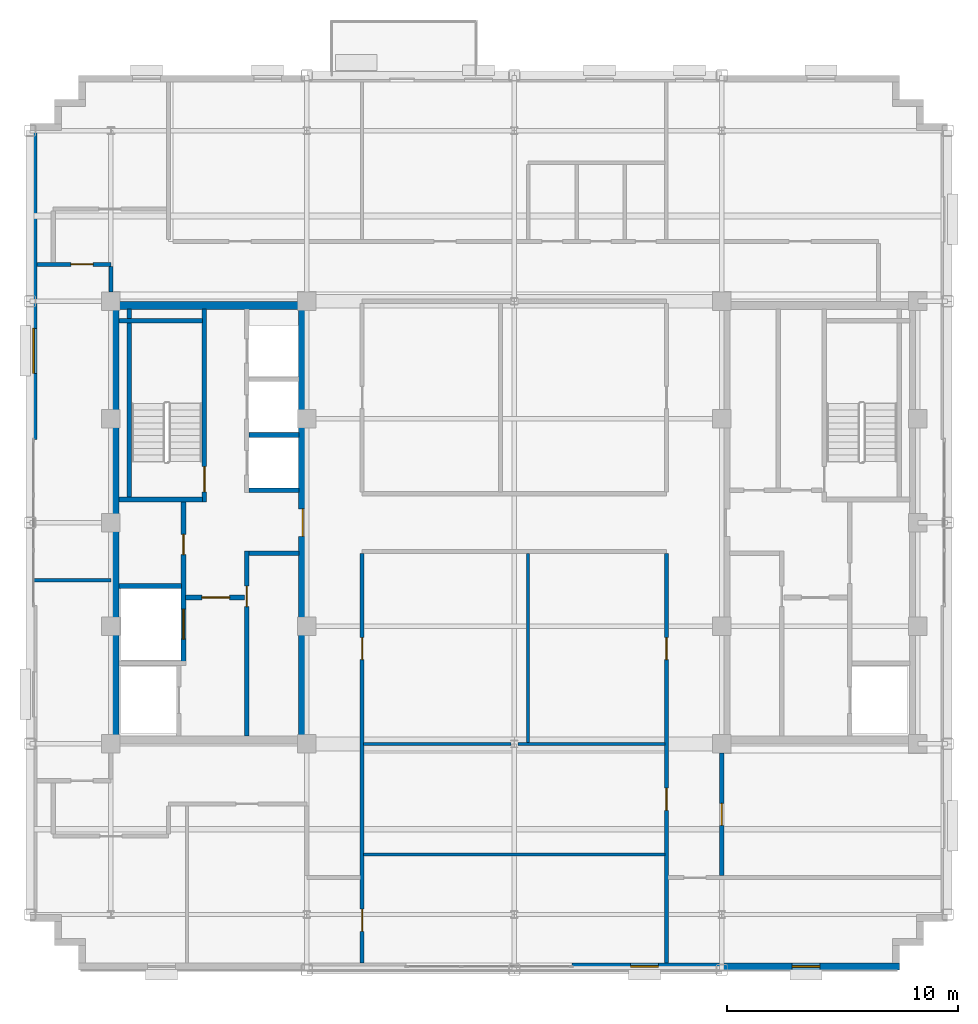
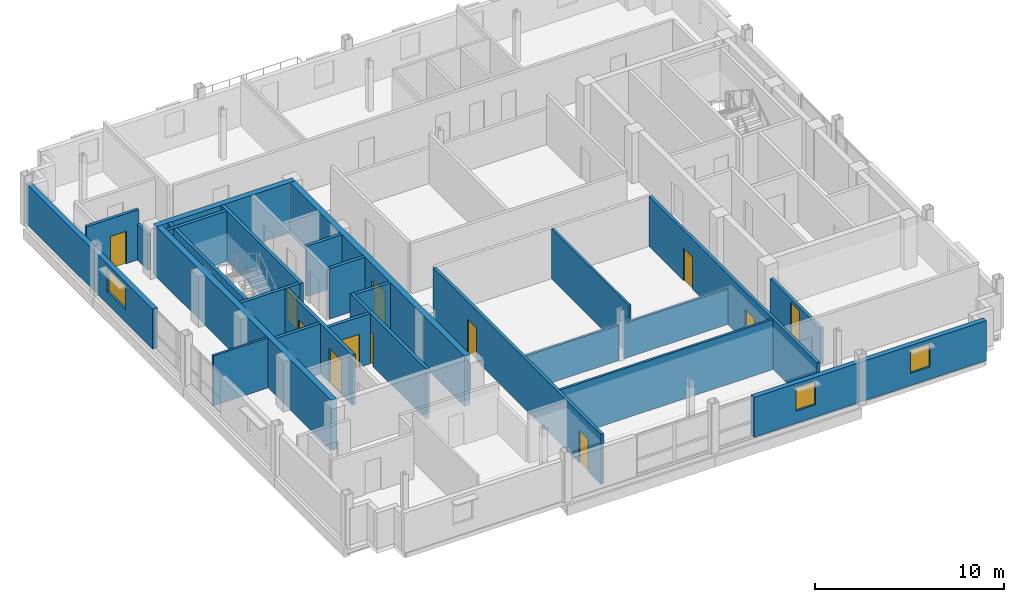
# One storey, part 6 of 16: 26 walls, 12 doors, 3 windows, 15 openings.
"""IFC4 building model written with IfcOpenShell, lengths in metres."""

import ifcopenshell
import ifcopenshell.guid

model = None  # the IFC model being written
_history = None  # IfcOwnerHistory: only IFC2X3 demands one
_inside = {}  # id of a spatial element -> (the spatial element, [elements in it])
_under = {}  # id of a project, library or spatial element -> (it, [spatial elements below it])
_declared = {}  # id of a project -> (the project, [libraries it declares])
_typed = {}  # id of a type object -> (the type object, [elements of that type])
_made_of = {}  # id of a material, layer set ... -> (it, [elements and type objects made of it])


def new_model(schema):
    """Start an empty IFC model of exactly this schema.

    Asked for "IFC4X3", IfcOpenShell would pick the latest addendum, in which some entities
    have other attributes; the version numbers below select the first issue.
    IFC2X3 requires an IfcOwnerHistory on every rooted entity: one is made here for all.
    """
    global model, _history
    if schema == "IFC4X3":
        model = ifcopenshell.file(schema_version=(4, 3, 0, 0))
    else:
        model = ifcopenshell.file(schema=schema)
    _inside.clear()
    _under.clear()
    _declared.clear()
    _typed.clear()
    _made_of.clear()
    _history = None
    if model.schema == "IFC2X3":
        org = make("IfcOrganization", Name="unknown")
        user = make(
            "IfcPersonAndOrganization",
            ThePerson=make("IfcPerson", FamilyName="unknown"),
            TheOrganization=org,
        )
        app = make(
            "IfcApplication",
            ApplicationDeveloper=org,
            Version="unknown",
            ApplicationFullName="unknown",
            ApplicationIdentifier="unknown",
        )
        _history = make(
            "IfcOwnerHistory",
            OwningUser=user,
            OwningApplication=app,
            ChangeAction="ADDED",
            CreationDate=0,
        )
    return model


def make(cls, **values):
    """One entity of the class cls with the attributes given. An attribute that is None is left unset."""
    return model.create_entity(
        cls, **{name: value for name, value in values.items() if value is not None}
    )


def rooted(cls, **values):
    """An entity with a GlobalId (a new one), such as an element, a storey or a relation."""
    return make(cls, GlobalId=ifcopenshell.guid.new(), OwnerHistory=_history, **values)


def si_unit(unit_type, name, prefix=None):
    """IfcSIUnit, for example si_unit("LENGTHUNIT", "METRE", prefix="MILLI")."""
    return make("IfcSIUnit", UnitType=unit_type, Prefix=prefix, Name=name)


def assignment(units):
    """IfcUnitAssignment: the units of a project."""
    return None if units is None else make("IfcUnitAssignment", Units=units)


def point(xyz):
    """IfcCartesianPoint."""
    return None if xyz is None else make("IfcCartesianPoint", Coordinates=xyz)


def direction(xyz):
    """IfcDirection."""
    return None if xyz is None else make("IfcDirection", DirectionRatios=xyz)


def frame(location, z_axis=None, x_axis=None):
    """IfcAxis2Placement3D, a coordinate frame: its origin and axes. An axis left out is left unset."""
    return make(
        "IfcAxis2Placement3D",
        Location=point(location),
        Axis=direction(z_axis),
        RefDirection=direction(x_axis),
    )


def frame_2d(location, x_axis=None):
    """IfcAxis2Placement2D, a coordinate frame in the plane: its origin and x axis."""
    return make(
        "IfcAxis2Placement2D", Location=point(location), RefDirection=direction(x_axis)
    )


def origin():
    """The frame at (0, 0, 0) with its axes left unset."""
    return frame((0.0, 0.0, 0.0))


def place(relative_to, where):
    """IfcLocalPlacement: puts the frame where relative to a parent placement (None: the world)."""
    return make(
        "IfcLocalPlacement", PlacementRelTo=relative_to, RelativePlacement=where
    )


def context(
    kind, dimensions, precision=None, world=None, true_north=None, identifier=None
):
    """IfcGeometricRepresentationContext, for example the 3D "Model" context."""
    return make(
        "IfcGeometricRepresentationContext",
        ContextIdentifier=identifier,
        ContextType=kind,
        CoordinateSpaceDimension=dimensions,
        Precision=precision,
        WorldCoordinateSystem=world,
        TrueNorth=true_north,
    )


def subcontext(parent, identifier, kind, view, scale=None):
    """IfcGeometricRepresentationSubContext, for example "Body" below "Model"."""
    return make(
        "IfcGeometricRepresentationSubContext",
        ContextIdentifier=identifier,
        ContextType=kind,
        ParentContext=parent,
        TargetScale=scale,
        TargetView=view,
    )


def project(units=None, contexts=None):
    """IfcProject with its units and contexts."""
    return rooted(
        "IfcProject",
        Name="project",
        RepresentationContexts=contexts,
        UnitsInContext=assignment(units),
    )


def spatial(cls, under=None, at=None, **own):
    """A site, building, storey or space (cls), placed at a placement, below another one or the project."""
    s = rooted(cls, ObjectPlacement=at, **own)
    if under is not None:
        _under.setdefault(under.id(), (under, []))[1].append(s)
    return s


def profile(cls, at=None, kind="AREA", **sizes):
    """A parametric profile (cls). Its sizes go by their IFC names, for example OverallWidth=200.0."""
    return make(cls, ProfileType=kind, Position=at, **sizes)


def rectangle(**sizes):
    """IfcRectangleProfileDef."""
    return profile("IfcRectangleProfileDef", **sizes)


def extrude(swept, where, along, depth):
    """IfcExtrudedAreaSolid: the profile swept, set in the frame where, extruded along a direction by depth."""
    return make(
        "IfcExtrudedAreaSolid",
        SweptArea=swept,
        Position=where,
        ExtrudedDirection=direction(along),
        Depth=depth,
    )


def shape(context_of_items, identifier, shape_type, items):
    """IfcShapeRepresentation: the items that make up one representation, for example the "Body"."""
    return make(
        "IfcShapeRepresentation",
        ContextOfItems=context_of_items,
        RepresentationIdentifier=identifier,
        RepresentationType=shape_type,
        Items=items,
    )


def source(mapping_origin, context_of_items, identifier, shape_type, items):
    """IfcRepresentationMap: a shape defined once, which mapped items show again and again."""
    return make(
        "IfcRepresentationMap",
        MappingOrigin=mapping_origin,
        MappedRepresentation=shape(context_of_items, identifier, shape_type, items),
    )


def transform(
    local_origin,
    x_axis=None,
    y_axis=None,
    z_axis=None,
    scale=None,
    scale2=None,
    scale3=None,
    uniform=True,
):
    """IfcCartesianTransformationOperator3D, or its non-uniform kind. x_axis, y_axis, z_axis: its Axis1, 2, 3."""
    if uniform:
        return make(
            "IfcCartesianTransformationOperator3D",
            Axis1=direction(x_axis),
            Axis2=direction(y_axis),
            LocalOrigin=point(local_origin),
            Scale=scale,
            Axis3=direction(z_axis),
        )
    return make(
        "IfcCartesianTransformationOperator3DnonUniform",
        Axis1=direction(x_axis),
        Axis2=direction(y_axis),
        LocalOrigin=point(local_origin),
        Scale=scale,
        Axis3=direction(z_axis),
        Scale2=scale2,
        Scale3=scale3,
    )


def mapped(mapping_source, mapping_target):
    """IfcMappedItem: shows the shape of a source again, moved by a transform."""
    return make(
        "IfcMappedItem", MappingSource=mapping_source, MappingTarget=mapping_target
    )


def material(Name=None, Category=None):
    """IfcMaterial."""
    return make("IfcMaterial", Name=Name, Category=Category)


def layer(
    of_material, thickness, ventilated=None, Name=None, Category=None, Priority=None
):
    """IfcMaterialLayer: one layer of a wall or slab, of a material (None: an air gap)."""
    return make(
        "IfcMaterialLayer",
        Material=of_material,
        LayerThickness=thickness,
        IsVentilated=ventilated,
        Name=Name,
        Category=Category,
        Priority=Priority,
    )


def layer_set(layers, Name=None):
    """IfcMaterialLayerSet."""
    return make("IfcMaterialLayerSet", MaterialLayers=layers, LayerSetName=Name)


def made_of(thing, what):
    """Note that an element or type object is made of a material, layer set ...; save() writes the relation."""
    if what is not None:
        _made_of.setdefault(what.id(), (what, []))[1].append(thing)
    return thing


def type_object(cls, material=None, **own):
    """A type object (cls), such as IfcWallType, which elements share."""
    return made_of(rooted(cls, **own), material)


def type_shapes(of_type, sources):
    """Give a type object the sources (RepresentationMaps) that its elements show as mapped items."""
    of_type.RepresentationMaps = sources


def element(
    cls,
    number,
    at=None,
    inside=None,
    cuts=None,
    type_object=None,
    material=None,
    context=None,
    identifier="Body",
    shape_type=None,
    held_by="IfcProductDefinitionShape",
    body=None,
    shapes=None,
    **own,
):
    """One element of the class cls, such as IfcWall. Its Tag is "e" and its number.

    at: its placement. inside: the storey or other place that contains it. cuts: it is an
    opening in that element (IfcRelVoidsElement). A single representation is given by context,
    identifier, shape_type and body (its items); several are given by shapes. held_by: the class
    of the entity that holds the representations. save() writes the other relations.
    """
    e = rooted(cls, Tag="e%d" % number, ObjectPlacement=at, **own)
    if body is not None:
        shapes = [shape(context, identifier, shape_type, body)]
    if shapes is not None:
        e.Representation = make(held_by, Representations=shapes)
    if inside is not None:
        _inside.setdefault(inside.id(), (inside, []))[1].append(e)
    if cuts is not None:
        rooted(
            "IfcRelVoidsElement", RelatingBuildingElement=cuts, RelatedOpeningElement=e
        )
    if type_object is not None:
        _typed.setdefault(type_object.id(), (type_object, []))[1].append(e)
    return made_of(e, material)


def fill(opening, filler):
    """IfcRelFillsElement: the door or window that sits in an opening."""
    return rooted(
        "IfcRelFillsElement",
        RelatingOpeningElement=opening,
        RelatedBuildingElement=filler,
    )


def aggregate(whole, parts):
    """IfcRelAggregates: a whole, such as a stair, and the parts it consists of."""
    return rooted("IfcRelAggregates", RelatingObject=whole, RelatedObjects=parts)


def save(model, path):
    """Write the relations noted so far, then the file.

    IfcRelAggregates (storeys below a building ...), IfcRelContainedInSpatialStructure (elements
    in a storey), IfcRelDefinesByType, IfcRelAssociatesMaterial and IfcRelDeclares: one each for
    every whole, place, type object, material and project.
    """
    for whole, parts in _under.values():
        aggregate(whole, parts)
    for where, things in _inside.values():
        rooted(
            "IfcRelContainedInSpatialStructure",
            RelatedElements=things,
            RelatingStructure=where,
        )
    for kind, things in _typed.values():
        rooted("IfcRelDefinesByType", RelatedObjects=things, RelatingType=kind)
    for what, things in _made_of.values():
        rooted("IfcRelAssociatesMaterial", RelatedObjects=things, RelatingMaterial=what)
    for by, libraries in _declared.values():
        rooted("IfcRelDeclares", RelatingContext=by, RelatedDefinitions=libraries)
    model.write(path)


model = new_model("IFC4")

# Units and contexts
model_context = context("Model", 3, precision=1e-05, world=origin(), true_north=direction((0.0, 1.0)))
body_context = subcontext(model_context, "Body", "Model", "MODEL_VIEW")
ifc_project = project(units=[si_unit("LENGTHUNIT", "METRE"), si_unit("AREAUNIT", "SQUARE_METRE"), si_unit("VOLUMEUNIT", "CUBIC_METRE"), si_unit("PLANEANGLEUNIT", "RADIAN"), si_unit("MASSUNIT", "GRAM", prefix="KILO")], contexts=[model_context])

# Site, building, storey
site_placement = place(None, origin())
site = spatial("IfcSite", under=ifc_project, at=site_placement, CompositionType="ELEMENT")
building_placement = place(site_placement, origin())
building = spatial("IfcBuilding", under=site, at=building_placement, Name="Nuvemarco Arch Tower", CompositionType="ELEMENT")
storey_placement = place(building_placement, frame((0.0, 0.0, 249.300048828125)))
storey = spatial("IfcBuildingStorey", under=building, at=storey_placement, Name="L66", CompositionType="ELEMENT", Elevation=249.300048828125)

# Wall, openings, windows
ifc_material_1 = material(Name="Precast concrete C45/55", Category="concrete")
ifc_layer_1 = layer(ifc_material_1, 0.300048828125, Name="EW-HIGH-300")
ifc_layer_set_1 = layer_set([ifc_layer_1], Name="Precast concrete C45/55")
wall_type_1 = type_object("IfcWallType", Name="EW-HIGH-300", PredefinedType="STANDARD", material=ifc_layer_set_1)
wall_1_placement = place(storey_placement, frame((2.5, -19.25, 0.0), z_axis=(0.0, 0.0, 1.0), x_axis=(1.0, 0.0, 0.0)))
wall_1 = element("IfcWall", 1, at=wall_1_placement, inside=storey, type_object=wall_type_1, Name="L66 exterior precast pier wall south right", PredefinedType="STANDARD", context=body_context, shape_type="SweptSolid", body=[
    extrude(rectangle(XDim=14.199951171875, YDim=0.300048828125, at=frame_2d((7.10009765625, 0.0))), origin(), (0.0, 0.0, 1.0), 2.5849609375),
])
opening_1_placement = place(wall_1_placement, frame((2.550048828125, 0.0, 0.800048828125)))
opening_1 = element("IfcOpeningElement", 2, at=opening_1_placement, cuts=wall_1, Name="Opening WN-8", PredefinedType="OPENING", context=body_context, shape_type="SweptSolid", body=[
    extrude(rectangle(XDim=1.199951171875, YDim=1.47998046875, at=frame_2d((0.60009765625, 0.739990234375))), frame((0.0, 0.159912109375, 0.0), z_axis=(0.0, -1.0, 0.0), x_axis=(1.0, 0.0, 0.0)), (0.0, 0.0, 1.0), 0.320068359375),
])
opening_2_placement = place(wall_1_placement, frame((9.550048828125, 0.0, 0.800048828125)))
opening_2 = element("IfcOpeningElement", 3, at=opening_2_placement, cuts=wall_1, Name="Opening WN-8", PredefinedType="OPENING", context=body_context, shape_type="SweptSolid", body=[
    extrude(rectangle(XDim=1.199951171875, YDim=1.47998046875, at=frame_2d((0.60009765625, 0.739990234375))), frame((0.0, 0.159912109375, 0.0), z_axis=(0.0, -1.0, 0.0), x_axis=(1.0, 0.0, 0.0)), (0.0, 0.0, 1.0), 0.320068359375),
])
ifc_material_2 = material(Name="Insulated solar-control glass", Category="glass")
window_type_1 = type_object("IfcWindowType", Name="WN-HIGH-1200x1480", PartitioningType="SINGLE_PANEL", PredefinedType="WINDOW", material=ifc_material_2)
shared_shape_1 = source(origin(), body_context, "Body", "SweptSolid", [
    extrude(rectangle(XDim=1.199951171875, YDim=1.47998046875, at=frame_2d((0.60009765625, 0.739990234375))), frame((0.0, 0.030029296875, 0.0), z_axis=(0.0, -1.0, 0.0), x_axis=(1.0, 0.0, 0.0)), (0.0, 0.0, 1.0), 0.06005859375),
])
type_shapes(window_type_1, [shared_shape_1])
window_1_placement = place(opening_1_placement, origin())
window_1 = element("IfcWindow", 4, at=window_1_placement, inside=storey, type_object=window_type_1, Name="L66 punched facade window 1", OverallHeight=1.47998046875, OverallWidth=1.199951171875, PartitioningType="SINGLE_PANEL", PredefinedType="WINDOW", context=body_context, shape_type="MappedRepresentation", body=[
    mapped(shared_shape_1, transform((0.0, 0.0, 0.0), scale=1.0)),
])
fill(opening_1, window_1)
window_2_placement = place(opening_2_placement, origin())
window_2 = element("IfcWindow", 5, at=window_2_placement, inside=storey, type_object=window_type_1, Name="L66 punched facade window 2", OverallHeight=1.47998046875, OverallWidth=1.199951171875, PartitioningType="SINGLE_PANEL", PredefinedType="WINDOW", context=body_context, shape_type="MappedRepresentation", body=[
    mapped(shared_shape_1, transform((0.0, 0.0, 0.0), scale=1.0)),
])
fill(opening_2, window_2)

# Wall, opening, window
wall_2_placement = place(storey_placement, frame((-20.85009765625, 3.60009765625, 0.0), z_axis=(0.0, 0.0, 1.0), x_axis=(0.0, 1.0, 0.0)))
wall_2 = element("IfcWall", 6, at=wall_2_placement, inside=storey, type_object=wall_type_1, Name="L66 exterior precast pier wall west right", PredefinedType="STANDARD", context=body_context, shape_type="SweptSolid", body=[
    extrude(rectangle(XDim=13.40380859375, YDim=0.300048828125, at=frame_2d((6.701904296875, 0.0))), origin(), (0.0, 0.0, 1.0), 2.5849609375),
])
opening_3_placement = place(wall_2_placement, frame((2.8759765625, 0.0, 0.800048828125)))
opening_3 = element("IfcOpeningElement", 7, at=opening_3_placement, cuts=wall_2, Name="Opening WN-7", PredefinedType="OPENING", context=body_context, shape_type="SweptSolid", body=[
    extrude(rectangle(XDim=1.949951171875, YDim=1.47998046875, at=frame_2d((0.97509765625, 0.739990234375))), frame((0.0, 0.159912109375, 0.0), z_axis=(0.0, -1.0, 0.0), x_axis=(1.0, 0.0, 0.0)), (0.0, 0.0, 1.0), 0.320068359375),
])
window_type_2 = type_object("IfcWindowType", Name="WN-HIGH-1950x1480", PartitioningType="DOUBLE_PANEL_VERTICAL", PredefinedType="WINDOW", material=ifc_material_2)
shared_shape_2 = source(origin(), body_context, "Body", "SweptSolid", [
    extrude(rectangle(XDim=1.949951171875, YDim=1.47998046875, at=frame_2d((0.97509765625, 0.739990234375))), frame((0.0, 0.030029296875, 0.0), z_axis=(0.0, -1.0, 0.0), x_axis=(1.0, 0.0, 0.0)), (0.0, 0.0, 1.0), 0.06005859375),
])
type_shapes(window_type_2, [shared_shape_2])
window_3_placement = place(opening_3_placement, origin())
window_3 = element("IfcWindow", 8, at=window_3_placement, inside=storey, type_object=window_type_2, Name="L66 punched facade window 1", OverallHeight=1.47998046875, OverallWidth=1.949951171875, PartitioningType="SINGLE_PANEL", PredefinedType="WINDOW", context=body_context, shape_type="MappedRepresentation", body=[
    mapped(shared_shape_2, transform((0.0, 0.0, 0.0), scale=1.0)),
])
fill(opening_3, window_3)

# Walls
ifc_material_3 = material(Name="Concrete C50/60", Category="concrete")
ifc_layer_2 = layer(ifc_material_3, 0.35009765625, Name="WL-CORE-350")
ifc_layer_set_2 = layer_set([ifc_layer_2], Name="Concrete C50/60")
wall_type_2 = type_object("IfcWallType", Name="WL-CORE-350", PredefinedType="SHEAR", material=ifc_layer_set_2)
wall_3_placement = place(storey_placement, frame((-17.5, 9.425048828125, 0.0), z_axis=(0.0, 0.0, 1.0), x_axis=(1.0, 0.0, 0.0)))
element("IfcWall", 9, at=wall_3_placement, inside=storey, type_object=wall_type_2, Name="L66 W-core shear wall N", PredefinedType="SHEAR", context=body_context, shape_type="SweptSolid", body=[
    extrude(rectangle(XDim=8.5, YDim=0.35009765625, at=frame_2d((4.25, 0.0))), origin(), (0.0, 0.0, 1.0), 3.25),
])
wall_4_placement = place(storey_placement, frame((-17.324951171875, -9.2548828125, 0.0), z_axis=(0.0, 0.0, 1.0), x_axis=(0.0, 1.0, 0.0)))
element("IfcWall", 10, at=wall_4_placement, inside=storey, type_object=wall_type_2, Name="L66 W-core shear wall W", PredefinedType="SHEAR", context=body_context, shape_type="SweptSolid", body=[
    extrude(rectangle(XDim=18.509765625, YDim=0.35009765625, at=frame_2d((9.2548828125, 0.0))), origin(), (0.0, 0.0, 1.0), 3.25),
])

# Wall, opening, door
wall_5_placement = place(storey_placement, frame((-9.175048828125, -9.2548828125, 0.0), z_axis=(0.0, 0.0, 1.0), x_axis=(0.0, 1.0, 0.0)))
wall_5 = element("IfcWall", 11, at=wall_5_placement, inside=storey, type_object=wall_type_2, Name="L66 W-core shear wall E", PredefinedType="SHEAR", context=body_context, shape_type="SweptSolid", body=[
    extrude(rectangle(XDim=18.509765625, YDim=0.35009765625, at=frame_2d((9.2548828125, 0.0))), origin(), (0.0, 0.0, 1.0), 3.25),
])
opening_4_placement = place(wall_5_placement, frame((8.655029296875, 0.0, 0.0)))
opening_4 = element("IfcOpeningElement", 12, at=opening_4_placement, cuts=wall_5, Name="Opening FD-2", PredefinedType="OPENING", context=body_context, shape_type="SweptSolid", body=[
    extrude(rectangle(XDim=1.199951171875, YDim=2.14990234375, at=frame_2d((0.60009765625, 1.074951171875))), frame((0.0, 0.18505859375, 0.0), z_axis=(0.0, -1.0, 0.0), x_axis=(1.0, 0.0, 0.0)), (0.0, 0.0, 1.0), 0.3701171875),
])
ifc_material_4 = material(Name="Anodised steel fire door", Category="steel")
door_type_1 = type_object("IfcDoorType", Name="DR-FFLOB-FD", OperationType="NOTDEFINED", PredefinedType="DOOR", material=ifc_material_4)
shared_shape_3 = source(origin(), body_context, "Body", "SweptSolid", [
    extrude(rectangle(XDim=1.199951171875, YDim=2.14990234375, at=frame_2d((0.60009765625, 1.074951171875))), frame((0.0, 0.02490234375, 0.0), z_axis=(0.0, -1.0, 0.0), x_axis=(1.0, 0.0, 0.0)), (0.0, 0.0, 1.0), 0.050048828125),
])
type_shapes(door_type_1, [shared_shape_3])
door_1_placement = place(opening_4_placement, origin())
door_1 = element("IfcDoor", 13, at=door_1_placement, inside=storey, type_object=door_type_1, Name="L66 door FD-L66-WCORE-E", OperationType="SINGLE_SWING_LEFT", OverallHeight=2.14990234375, OverallWidth=1.199951171875, PredefinedType="DOOR", context=body_context, shape_type="MappedRepresentation", body=[
    mapped(shared_shape_3, transform((0.0, 0.0, 0.0), scale=1.0)),
])
fill(opening_4, door_1)

ifc_material_5 = material(Name="Fire-rated gypsum drywall partition")
ifc_layer_3 = layer(ifc_material_5, 0.179931640625, Name="WL-CORR-180")
ifc_layer_set_3 = layer_set([ifc_layer_3], Name="Fire-rated gypsum drywall partition")
wall_type_3 = type_object("IfcWallType", Name="WL-CORR-180", PredefinedType="PARTITIONING", material=ifc_layer_set_3)
wall_6_placement = place(storey_placement, frame((-20.699951171875, 11.199951171875, 0.0), z_axis=(0.0, 0.0, 1.0), x_axis=(1.0, 0.0, 0.0)))
wall_6 = element("IfcWall", 14, at=wall_6_placement, inside=storey, type_object=wall_type_3, Name="L66 interior wall IW-L66-014", PredefinedType="PARTITIONING", context=body_context, shape_type="SweptSolid", body=[
    extrude(rectangle(XDim=3.199951171875, YDim=0.179931640625, at=frame_2d((1.60009765625, 0.0))), origin(), (0.0, 0.0, 1.0), 3.239990234375),
])
opening_5_placement = place(wall_6_placement, frame((1.469970703125, 0.0, 0.0)))
opening_5 = element("IfcOpeningElement", 15, at=opening_5_placement, cuts=wall_6, Name="Opening FD-5", PredefinedType="OPENING", context=body_context, shape_type="SweptSolid", body=[
    extrude(rectangle(XDim=0.9599609375, YDim=2.10009765625, at=frame_2d((0.47998046875, 1.050048828125))), frame((0.0, 0.099853515625, 0.0), z_axis=(0.0, -1.0, 0.0), x_axis=(1.0, 0.0, 0.0)), (0.0, 0.0, 1.0), 0.199951171875),
])
ifc_material_6 = material(Name="Timber fire door", Category="wood")
door_type_2 = type_object("IfcDoorType", Name="DR-CORR-FD", OperationType="NOTDEFINED", PredefinedType="DOOR", material=ifc_material_6)
shared_shape_4 = source(origin(), body_context, "Body", "SweptSolid", [
    extrude(rectangle(XDim=0.9599609375, YDim=2.10009765625, at=frame_2d((0.47998046875, 1.050048828125))), frame((0.0, 0.02490234375, 0.0), z_axis=(0.0, -1.0, 0.0), x_axis=(1.0, 0.0, 0.0)), (0.0, 0.0, 1.0), 0.050048828125),
])
type_shapes(door_type_2, [shared_shape_4])
door_2_placement = place(opening_5_placement, origin())
door_2 = element("IfcDoor", 16, at=door_2_placement, inside=storey, type_object=door_type_2, Name="L66 door DR-L66-W_2", OperationType="SINGLE_SWING_RIGHT", OverallHeight=2.10009765625, OverallWidth=0.9599609375, PredefinedType="DOOR", context=body_context, shape_type="MappedRepresentation", body=[
    mapped(shared_shape_4, transform((0.0, 0.0, 0.0), scale=1.0)),
])
fill(opening_5, door_2)

# Wall
wall_7_placement = place(storey_placement, frame((-17.5, 9.99609375, 0.0), z_axis=(0.0, 0.0, 1.0), x_axis=(0.0, 1.0, 0.0)))
element("IfcWall", 17, at=wall_7_placement, inside=storey, type_object=wall_type_3, Name="L66 interior wall IW-L66-021", PredefinedType="PARTITIONING", context=body_context, shape_type="SweptSolid", body=[
    extrude(rectangle(XDim=1.117919921875, YDim=0.179931640625, at=frame_2d((0.55908203125, 0.0))), origin(), (0.0, 0.0, 1.0), 2.3349609375),
])

# Wall, openings, doors
wall_8_placement = place(storey_placement, frame((-6.60009765625, -19.10009765625, 0.0), z_axis=(0.0, 0.0, 1.0), x_axis=(0.0, 1.0, 0.0)))
wall_8 = element("IfcWall", 18, at=wall_8_placement, inside=storey, type_object=wall_type_3, Name="L66 interior wall IW-L66-026", PredefinedType="PARTITIONING", context=body_context, shape_type="SweptSolid", body=[
    extrude(rectangle(XDim=17.76416015625, YDim=0.179931640625, at=frame_2d((8.882080078125, 0.0))), origin(), (0.0, 0.0, 1.0), 3.239990234375),
])
opening_6_placement = place(wall_8_placement, frame((13.152099609375, 0.0, 0.0)))
opening_6 = element("IfcOpeningElement", 19, at=opening_6_placement, cuts=wall_8, Name="Opening FD-5", PredefinedType="OPENING", context=body_context, shape_type="SweptSolid", body=[
    extrude(rectangle(XDim=0.9599609375, YDim=2.10009765625, at=frame_2d((0.47998046875, 1.050048828125))), frame((0.0, 0.099853515625, 0.0), z_axis=(0.0, -1.0, 0.0), x_axis=(1.0, 0.0, 0.0)), (0.0, 0.0, 1.0), 0.199951171875),
])
opening_7_placement = place(wall_8_placement, frame((1.3701171875, 0.0, 0.0)))
opening_7 = element("IfcOpeningElement", 20, at=opening_7_placement, cuts=wall_8, Name="Opening FD-5", PredefinedType="OPENING", context=body_context, shape_type="SweptSolid", body=[
    extrude(rectangle(XDim=0.9599609375, YDim=2.10009765625, at=frame_2d((0.47998046875, 1.050048828125))), frame((0.0, 0.099853515625, 0.0), z_axis=(0.0, -1.0, 0.0), x_axis=(1.0, 0.0, 0.0)), (0.0, 0.0, 1.0), 0.199951171875),
])
door_3_placement = place(opening_6_placement, origin())
door_3 = element("IfcDoor", 21, at=door_3_placement, inside=storey, type_object=door_type_2, Name="L66 door DR-L66-C_S1", OperationType="SINGLE_SWING_LEFT", OverallHeight=2.10009765625, OverallWidth=0.9599609375, PredefinedType="DOOR", context=body_context, shape_type="MappedRepresentation", body=[
    mapped(shared_shape_4, transform((0.0, 0.0, 0.0), scale=1.0)),
])
fill(opening_6, door_3)
door_4_placement = place(opening_7_placement, origin())
door_4 = element("IfcDoor", 22, at=door_4_placement, inside=storey, type_object=door_type_2, Name="L66 door DR-L66-S_4", OperationType="SINGLE_SWING_LEFT", OverallHeight=2.10009765625, OverallWidth=0.9599609375, PredefinedType="DOOR", context=body_context, shape_type="MappedRepresentation", body=[
    mapped(shared_shape_4, transform((0.0, 0.0, 0.0), scale=1.0)),
])
fill(opening_7, door_4)

wall_9_placement = place(storey_placement, frame((6.60009765625, -19.10009765625, 0.0), z_axis=(0.0, 0.0, 1.0), x_axis=(0.0, 1.0, 0.0)))
wall_9 = element("IfcWall", 23, at=wall_9_placement, inside=storey, type_object=wall_type_3, Name="L66 interior wall IW-L66-034", PredefinedType="PARTITIONING", context=body_context, shape_type="SweptSolid", body=[
    extrude(rectangle(XDim=17.76416015625, YDim=0.179931640625, at=frame_2d((8.882080078125, 0.0))), origin(), (0.0, 0.0, 1.0), 3.239990234375),
])
opening_8_placement = place(wall_9_placement, frame((13.152099609375, 0.0, 0.0)))
opening_8 = element("IfcOpeningElement", 24, at=opening_8_placement, cuts=wall_9, Name="Opening FD-5", PredefinedType="OPENING", context=body_context, shape_type="SweptSolid", body=[
    extrude(rectangle(XDim=0.9599609375, YDim=2.10009765625, at=frame_2d((0.47998046875, 1.050048828125))), frame((0.0, 0.099853515625, 0.0), z_axis=(0.0, -1.0, 0.0), x_axis=(1.0, 0.0, 0.0)), (0.0, 0.0, 1.0), 0.199951171875),
])
opening_9_placement = place(wall_9_placement, frame((6.6201171875, 0.0, 0.0)))
opening_9 = element("IfcOpeningElement", 25, at=opening_9_placement, cuts=wall_9, Name="Opening FD-5", PredefinedType="OPENING", context=body_context, shape_type="SweptSolid", body=[
    extrude(rectangle(XDim=0.9599609375, YDim=2.10009765625, at=frame_2d((0.47998046875, 1.050048828125))), frame((0.0, 0.099853515625, 0.0), z_axis=(0.0, -1.0, 0.0), x_axis=(1.0, 0.0, 0.0)), (0.0, 0.0, 1.0), 0.199951171875),
])
door_5_placement = place(opening_8_placement, origin())
door_5 = element("IfcDoor", 26, at=door_5_placement, inside=storey, type_object=door_type_2, Name="L66 door DR-L66-C_S2", OperationType="SINGLE_SWING_RIGHT", OverallHeight=2.10009765625, OverallWidth=0.9599609375, PredefinedType="DOOR", context=body_context, shape_type="MappedRepresentation", body=[
    mapped(shared_shape_4, transform((0.0, 0.0, 0.0), scale=1.0)),
])
fill(opening_8, door_5)
door_6_placement = place(opening_9_placement, origin())
door_6 = element("IfcDoor", 27, at=door_6_placement, inside=storey, type_object=door_type_2, Name="L66 door DR-L66-S_3", OperationType="SINGLE_SWING_RIGHT", OverallHeight=2.10009765625, OverallWidth=0.9599609375, PredefinedType="DOOR", context=body_context, shape_type="MappedRepresentation", body=[
    mapped(shared_shape_4, transform((0.0, 0.0, 0.0), scale=1.0)),
])
fill(opening_9, door_6)

# Wall, opening, door
wall_10_placement = place(storey_placement, frame((9.0, -15.31396484375, 0.0), z_axis=(0.0, 0.0, 1.0), x_axis=(0.0, 1.0, 0.0)))
wall_10 = element("IfcWall", 28, at=wall_10_placement, inside=storey, type_object=wall_type_3, Name="L66 interior wall IW-L66-037", PredefinedType="PARTITIONING", context=body_context, shape_type="SweptSolid", body=[
    extrude(rectangle(XDim=5.31787109375, YDim=0.179931640625, at=frame_2d((2.658935546875, 0.0))), origin(), (0.0, 0.0, 1.0), 2.3349609375),
])
opening_10_placement = place(wall_10_placement, frame((2.178955078125, 0.0, 0.0)))
opening_10 = element("IfcOpeningElement", 29, at=opening_10_placement, cuts=wall_10, Name="Opening FD-5", PredefinedType="OPENING", context=body_context, shape_type="SweptSolid", body=[
    extrude(rectangle(XDim=0.9599609375, YDim=2.10009765625, at=frame_2d((0.47998046875, 1.050048828125))), frame((0.0, 0.099853515625, 0.0), z_axis=(0.0, -1.0, 0.0), x_axis=(1.0, 0.0, 0.0)), (0.0, 0.0, 1.0), 0.199951171875),
])
door_7_placement = place(opening_10_placement, origin())
door_7 = element("IfcDoor", 30, at=door_7_placement, inside=storey, type_object=door_type_2, Name="L66 door DR-L66-S_5", OperationType="SINGLE_SWING_RIGHT", OverallHeight=2.10009765625, OverallWidth=0.9599609375, PredefinedType="DOOR", context=body_context, shape_type="MappedRepresentation", body=[
    mapped(shared_shape_4, transform((0.0, 0.0, 0.0), scale=1.0)),
])
fill(opening_10, door_7)

# Walls
ifc_material_7 = material(Name="Glazed acoustic office partition")
ifc_layer_4 = layer(ifc_material_7, 0.1298828125, Name="WL-EXEC-130")
ifc_layer_set_4 = layer_set([ifc_layer_4], Name="Glazed acoustic office partition")
wall_type_4 = type_object("IfcWallType", Name="WL-EXEC-130", PredefinedType="PARTITIONING", material=ifc_layer_set_4)
wall_11_placement = place(storey_placement, frame((0.60009765625, -9.533935546875, 0.0), z_axis=(0.0, 0.0, 1.0), x_axis=(0.0, 1.0, 0.0)))
element("IfcWall", 31, at=wall_11_placement, inside=storey, type_object=wall_type_4, Name="L66 interior wall IW-L66-030", PredefinedType="PARTITIONING", context=body_context, shape_type="SweptSolid", body=[
    extrude(rectangle(XDim=8.197998046875, YDim=0.1298828125, at=frame_2d((4.09912109375, 0.0))), origin(), (0.0, 0.0, 1.0), 3.239990234375),
])
ifc_material_8 = material(Name="Gypsum plasterboard partition")
ifc_layer_5 = layer(ifc_material_8, 0.139892578125, Name="WL-ROOM-140")
ifc_layer_set_5 = layer_set([ifc_layer_5], Name="Gypsum plasterboard partition")
wall_type_5 = type_object("IfcWallType", Name="WL-ROOM-140", PredefinedType="PARTITIONING", material=ifc_layer_set_5)
wall_12_placement = place(storey_placement, frame((-6.5390625, -14.39990234375, 0.0), z_axis=(0.0, 0.0, 1.0), x_axis=(1.0, 0.0, 0.0)))
element("IfcWall", 32, at=wall_12_placement, inside=storey, type_object=wall_type_5, Name="L66 interior wall IW-L66-003", PredefinedType="PARTITIONING", context=body_context, shape_type="SweptSolid", body=[
    extrude(rectangle(XDim=13.072998046875, YDim=0.139892578125, at=frame_2d((6.53662109375, 0.0))), origin(), (0.0, 0.0, 1.0), 3.239990234375),
])
wall_13_placement = place(storey_placement, frame((-6.5390625, -9.60009765625, 0.0), z_axis=(0.0, 0.0, 1.0), x_axis=(1.0, 0.0, 0.0)))
element("IfcWall", 33, at=wall_13_placement, inside=storey, type_object=wall_type_5, Name="L66 interior wall IW-L66-007", PredefinedType="PARTITIONING", context=body_context, shape_type="SweptSolid", body=[
    extrude(rectangle(XDim=6.38818359375, YDim=0.139892578125, at=frame_2d((3.194091796875, 0.0))), origin(), (0.0, 0.0, 1.0), 2.284912109375),
])
wall_14_placement = place(storey_placement, frame((0.15087890625, -9.60009765625, 0.0), z_axis=(0.0, 0.0, 1.0), x_axis=(1.0, 0.0, 0.0)))
element("IfcWall", 34, at=wall_14_placement, inside=storey, type_object=wall_type_5, Name="L66 interior wall IW-L66-008", PredefinedType="PARTITIONING", context=body_context, shape_type="SweptSolid", body=[
    extrude(rectangle(XDim=6.383056640625, YDim=0.139892578125, at=frame_2d((3.19140625, 0.0))), origin(), (0.0, 0.0, 1.0), 2.284912109375),
])
wall_15_placement = place(storey_placement, frame((-20.8349609375, -2.5, 0.0), z_axis=(0.0, 0.0, 1.0), x_axis=(1.0, 0.0, 0.0)))
element("IfcWall", 35, at=wall_15_placement, inside=storey, type_object=wall_type_5, Name="L66 interior wall IW-L66-009", PredefinedType="PARTITIONING", context=body_context, shape_type="SweptSolid", body=[
    extrude(rectangle(XDim=3.3349609375, YDim=0.139892578125, at=frame_2d((1.66748046875, 0.0))), origin(), (0.0, 0.0, 1.0), 3.239990234375),
])

# Wall, opening, door
ifc_layer_6 = layer(ifc_material_3, 0.199951171875, Name="WL-SHAFT-220")
ifc_layer_set_6 = layer_set([ifc_layer_6], Name="Concrete C50/60")
wall_type_6 = type_object("IfcWallType", Name="WL-SHAFT-220", PredefinedType="SHEAR", material=ifc_layer_set_6)
wall_16_placement = place(storey_placement, frame((-13.43994140625, 0.89990234375, 0.0), z_axis=(0.0, 0.0, 1.0), x_axis=(0.0, 1.0, 0.0)))
wall_16 = element("IfcWall", 36, at=wall_16_placement, inside=storey, type_object=wall_type_6, Name="L66 structural shaft wall SW-L66-W-ST1E", PredefinedType="SHEAR", context=body_context, shape_type="SweptSolid", body=[
    extrude(rectangle(XDim=8.35498046875, YDim=0.199951171875, at=frame_2d((4.177490234375, 0.0))), origin(), (0.0, 0.0, 1.0), 3.25),
])
opening_11_placement = place(wall_16_placement, frame((1.530029296875, 0.0, 0.0), z_axis=(0.0, 0.0, 1.0), x_axis=(-1.0, 0.0, 0.0)))
opening_11 = element("IfcOpeningElement", 37, at=opening_11_placement, cuts=wall_16, Name="Opening FD-1", PredefinedType="OPENING", context=body_context, shape_type="SweptSolid", body=[
    extrude(rectangle(XDim=1.10009765625, YDim=2.14990234375, at=frame_2d((0.550048828125, 1.074951171875))), frame((0.0, 0.10986328125, 0.0), z_axis=(0.0, -1.0, 0.0), x_axis=(1.0, 0.0, 0.0)), (0.0, 0.0, 1.0), 0.219970703125),
])
door_type_3 = type_object("IfcDoorType", Name="DR-STAIR-FD", OperationType="NOTDEFINED", PredefinedType="DOOR", material=ifc_material_4)
shared_shape_5 = source(origin(), body_context, "Body", "SweptSolid", [
    extrude(rectangle(XDim=1.10009765625, YDim=2.14990234375, at=frame_2d((0.550048828125, 1.074951171875))), frame((0.0, 0.02490234375, 0.0), z_axis=(0.0, -1.0, 0.0), x_axis=(1.0, 0.0, 0.0)), (0.0, 0.0, 1.0), 0.050048828125),
])
type_shapes(door_type_3, [shared_shape_5])
door_8_placement = place(opening_11_placement, origin())
door_8 = element("IfcDoor", 38, at=door_8_placement, inside=storey, type_object=door_type_3, Name="L66 door FD-L66-ST1", OperationType="SINGLE_SWING_LEFT", OverallHeight=2.14990234375, OverallWidth=1.10009765625, PredefinedType="DOOR", context=body_context, shape_type="MappedRepresentation", body=[
    mapped(shared_shape_5, transform((0.0, 0.0, 0.0), scale=1.0)),
])
fill(opening_11, door_8)

# Walls
for number, where, z_axis, x_axis, name in (
    (39, (-17.155029296875, 1.0, 0.0), (0.0, 0.0, 1.0), (1.0, 0.0, 0.0), "L66 structural shaft wall SW-L66-W-ST1S"),
    (40, (-17.155029296875, 8.75, 0.0), (0.0, 0.0, 1.0), (1.0, 0.0, 0.0), "L66 structural shaft wall SW-L66-W-ST1N"),
):
    element("IfcWall", number, at=place(storey_placement, frame(where, z_axis=z_axis, x_axis=x_axis)), inside=storey, type_object=wall_type_6, Name=name, PredefinedType="SHEAR", context=body_context, shape_type="SweptSolid", body=[
        extrude(rectangle(XDim=3.6201171875, YDim=0.199951171875, at=frame_2d((1.81005859375, 0.0))), origin(), (0.0, 0.0, 1.0), 3.25),
    ])
wall_17_placement = place(storey_placement, frame((-16.699951171875, 1.094970703125, 0.0), z_axis=(0.0, 0.0, 1.0), x_axis=(0.0, 1.0, 0.0)))
element("IfcWall", 41, at=wall_17_placement, inside=storey, type_object=wall_type_6, Name="L66 structural shaft wall SW-L66-W-ST1W", PredefinedType="SHEAR", context=body_context, shape_type="SweptSolid", body=[
    extrude(rectangle(XDim=8.159912109375, YDim=0.199951171875, at=frame_2d((4.080078125, 0.0))), origin(), (0.0, 0.0, 1.0), 3.25),
])

# Wall, openings, doors
wall_18_placement = place(storey_placement, frame((-14.35009765625, -6.199951171875, 0.0), z_axis=(0.0, 0.0, 1.0), x_axis=(0.0, 1.0, 0.0)))
wall_18 = element("IfcWall", 42, at=wall_18_placement, inside=storey, type_object=wall_type_6, Name="L66 structural shaft wall SW-L66-W-SVE", PredefinedType="SHEAR", context=body_context, shape_type="SweptSolid", body=[
    extrude(rectangle(XDim=7.10498046875, YDim=0.199951171875, at=frame_2d((3.552490234375, 0.0))), origin(), (0.0, 0.0, 1.0), 3.25),
])
opening_12_placement = place(wall_18_placement, frame((5.68994140625, 0.0, 0.0), z_axis=(0.0, 0.0, 1.0), x_axis=(-1.0, 0.0, 0.0)))
opening_12 = element("IfcOpeningElement", 43, at=opening_12_placement, cuts=wall_18, Name="Opening FD-4", PredefinedType="OPENING", context=body_context, shape_type="SweptSolid", body=[
    extrude(rectangle(XDim=0.8798828125, YDim=2.10009765625, at=frame_2d((0.43994140625, 1.050048828125))), frame((0.0, 0.10986328125, 0.0), z_axis=(0.0, -1.0, 0.0), x_axis=(1.0, 0.0, 0.0)), (0.0, 0.0, 1.0), 0.219970703125),
])
opening_13_placement = place(wall_18_placement, frame((1.14990234375, 0.0, 0.0)))
opening_13 = element("IfcOpeningElement", 44, at=opening_13_placement, cuts=wall_18, Name="Opening LD-3", PredefinedType="OPENING", context=body_context, shape_type="SweptSolid", body=[
    extrude(rectangle(XDim=1.300048828125, YDim=2.199951171875, at=frame_2d((0.64990234375, 1.10009765625))), frame((0.0, 0.10986328125, 0.0), z_axis=(0.0, -1.0, 0.0), x_axis=(1.0, 0.0, 0.0)), (0.0, 0.0, 1.0), 0.219970703125),
])
door_type_4 = type_object("IfcDoorType", Name="DR-RISER-FD", OperationType="NOTDEFINED", PredefinedType="DOOR", material=ifc_material_4)
shared_shape_6 = source(origin(), body_context, "Body", "SweptSolid", [
    extrude(rectangle(XDim=0.8798828125, YDim=2.10009765625, at=frame_2d((0.43994140625, 1.050048828125))), frame((0.0, 0.02490234375, 0.0), z_axis=(0.0, -1.0, 0.0), x_axis=(1.0, 0.0, 0.0)), (0.0, 0.0, 1.0), 0.050048828125),
])
type_shapes(door_type_4, [shared_shape_6])
door_9_placement = place(opening_12_placement, origin())
door_9 = element("IfcDoor", 45, at=door_9_placement, inside=storey, type_object=door_type_4, Name="L66 door FD-L66-WRIS", OperationType="SINGLE_SWING_LEFT", OverallHeight=2.10009765625, OverallWidth=0.8798828125, PredefinedType="DOOR", context=body_context, shape_type="MappedRepresentation", body=[
    mapped(shared_shape_6, transform((0.0, 0.0, 0.0), scale=1.0)),
])
fill(opening_12, door_9)
ifc_material_9 = material(Name="Stainless steel lift door", Category="steel")
door_type_5 = type_object("IfcDoorType", Name="DR-LIFT-SERV", OperationType="DOUBLE_DOOR_SLIDING", PredefinedType="DOOR", material=ifc_material_9)
shared_shape_7 = source(origin(), body_context, "Body", "SweptSolid", [
    extrude(rectangle(XDim=1.300048828125, YDim=2.199951171875, at=frame_2d((0.64990234375, 1.10009765625))), frame((0.0, 0.02490234375, 0.0), z_axis=(0.0, -1.0, 0.0), x_axis=(1.0, 0.0, 0.0)), (0.0, 0.0, 1.0), 0.050048828125),
])
type_shapes(door_type_5, [shared_shape_7])
door_10_placement = place(opening_13_placement, origin())
door_10 = element("IfcDoor", 46, at=door_10_placement, inside=storey, type_object=door_type_5, Name="L66 Lift landing sliding door SVL-1", OperationType="DOUBLE_DOOR_SLIDING", OverallHeight=2.199951171875, OverallWidth=1.300048828125, PredefinedType="DOOR", context=body_context, shape_type="MappedRepresentation", body=[
    mapped(shared_shape_7, transform((0.0, 0.0, 0.0), scale=1.0)),
])
fill(opening_13, door_10)

# Wall
wall_19_placement = place(storey_placement, frame((-17.155029296875, -2.75, 0.0), z_axis=(0.0, 0.0, 1.0), x_axis=(1.0, 0.0, 0.0)))
element("IfcWall", 47, at=wall_19_placement, inside=storey, type_object=wall_type_6, Name="L66 structural shaft wall SW-L66-W-SH2", PredefinedType="SHEAR", context=body_context, shape_type="SweptSolid", body=[
    extrude(rectangle(XDim=2.7099609375, YDim=0.199951171875, at=frame_2d((1.35498046875, 0.0))), origin(), (0.0, 0.0, 1.0), 3.25),
])

# Wall, opening, door
wall_20_placement = place(storey_placement, frame((-11.60009765625, -9.2548828125, 0.0), z_axis=(0.0, 0.0, 1.0), x_axis=(0.0, 1.0, 0.0)))
wall_20 = element("IfcWall", 48, at=wall_20_placement, inside=storey, type_object=wall_type_6, Name="L66 structural shaft wall SW-L66-W-PLW", PredefinedType="SHEAR", context=body_context, shape_type="SweptSolid", body=[
    extrude(rectangle(XDim=8.02490234375, YDim=0.199951171875, at=frame_2d((4.012451171875, 0.0))), origin(), (0.0, 0.0, 1.0), 3.25),
])
opening_14_placement = place(wall_20_placement, frame((5.614990234375, 0.0, 0.0)))
opening_14 = element("IfcOpeningElement", 49, at=opening_14_placement, cuts=wall_20, Name="Opening FD-4", PredefinedType="OPENING", context=body_context, shape_type="SweptSolid", body=[
    extrude(rectangle(XDim=0.8798828125, YDim=2.10009765625, at=frame_2d((0.43994140625, 1.050048828125))), frame((0.0, 0.10986328125, 0.0), z_axis=(0.0, -1.0, 0.0), x_axis=(1.0, 0.0, 0.0)), (0.0, 0.0, 1.0), 0.219970703125),
])
door_11_placement = place(opening_14_placement, origin())
door_11 = element("IfcDoor", 50, at=door_11_placement, inside=storey, type_object=door_type_4, Name="L66 door FD-L66-WREC1", OperationType="SINGLE_SWING_LEFT", OverallHeight=2.10009765625, OverallWidth=0.8798828125, PredefinedType="DOOR", context=body_context, shape_type="MappedRepresentation", body=[
    mapped(shared_shape_6, transform((0.0, 0.0, 0.0), scale=1.0)),
])
fill(opening_14, door_11)

wall_21_placement = place(storey_placement, frame((-14.2548828125, -3.25, 0.0), z_axis=(0.0, 0.0, 1.0), x_axis=(1.0, 0.0, 0.0)))
wall_21 = element("IfcWall", 51, at=wall_21_placement, inside=storey, type_object=wall_type_6, Name="L66 structural shaft wall SW-L66-W-FFN", PredefinedType="SHEAR", context=body_context, shape_type="SweptSolid", body=[
    extrude(rectangle(XDim=2.559814453125, YDim=0.199951171875, at=frame_2d((1.27978515625, 0.0))), origin(), (0.0, 0.0, 1.0), 3.25),
])
opening_15_placement = place(wall_21_placement, frame((0.705078125, 0.0, 0.0)))
opening_15 = element("IfcOpeningElement", 52, at=opening_15_placement, cuts=wall_21, Name="Opening FD-2", PredefinedType="OPENING", context=body_context, shape_type="SweptSolid", body=[
    extrude(rectangle(XDim=1.199951171875, YDim=2.14990234375, at=frame_2d((0.60009765625, 1.074951171875))), frame((0.0, 0.10986328125, 0.0), z_axis=(0.0, -1.0, 0.0), x_axis=(1.0, 0.0, 0.0)), (0.0, 0.0, 1.0), 0.219970703125),
])
door_12_placement = place(opening_15_placement, origin())
door_12 = element("IfcDoor", 53, at=door_12_placement, inside=storey, type_object=door_type_1, Name="L66 door FD-L66-WFF1", OperationType="SINGLE_SWING_LEFT", OverallHeight=2.14990234375, OverallWidth=1.199951171875, PredefinedType="DOOR", context=body_context, shape_type="MappedRepresentation", body=[
    mapped(shared_shape_3, transform((0.0, 0.0, 0.0), scale=1.0)),
])
fill(opening_15, door_12)

# Walls
for number, where, z_axis, x_axis, name in (
    (54, (-11.5048828125, -1.330078125, 0.0), (0.0, 0.0, 1.0), (1.0, 0.0, 0.0), "L66 structural shaft wall SW-L66-W-PLTOP"),
    (55, (-11.5048828125, 1.39990234375, 0.0), (0.0, 0.0, 1.0), (1.0, 0.0, 0.0), "L66 structural shaft wall SW-L66-W-PHD1"),
    (56, (-11.5048828125, 3.800048828125, 0.0), (0.0, 0.0, 1.0), (1.0, 0.0, 0.0), "L66 structural shaft wall SW-L66-W-PHD2"),
):
    element("IfcWall", number, at=place(storey_placement, frame(where, z_axis=z_axis, x_axis=x_axis)), inside=storey, type_object=wall_type_6, Name=name, PredefinedType="SHEAR", context=body_context, shape_type="SweptSolid", body=[
        extrude(rectangle(XDim=2.159912109375, YDim=0.199951171875, at=frame_2d((1.080078125, 0.0))), origin(), (0.0, 0.0, 1.0), 3.25),
    ])

save(model, "model.ifc")
